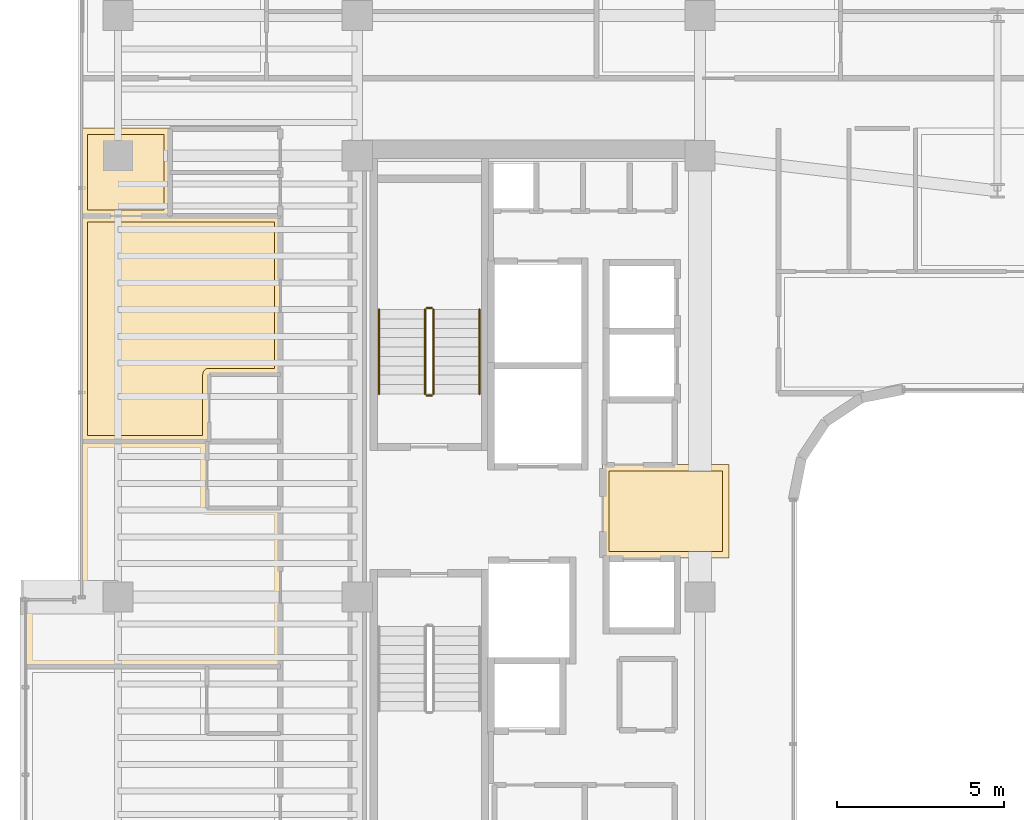
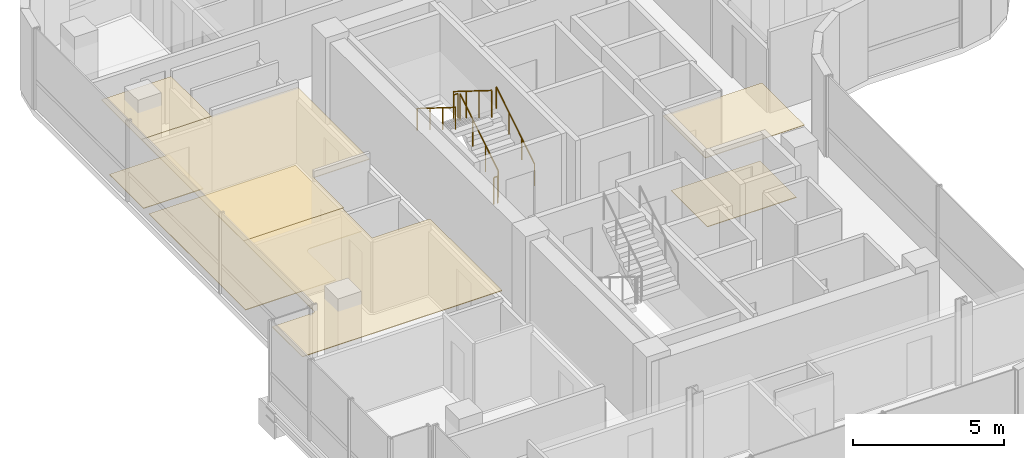
# One storey, part 23 of 24: 7 coverings, 6 railings.
"""IFC4 building model written with IfcOpenShell, lengths in metres."""

import ifcopenshell
import ifcopenshell.guid

model = None  # the IFC model being written
_history = None  # IfcOwnerHistory: only IFC2X3 demands one
_inside = {}  # id of a spatial element -> (the spatial element, [elements in it])
_under = {}  # id of a project, library or spatial element -> (it, [spatial elements below it])
_declared = {}  # id of a project -> (the project, [libraries it declares])
_typed = {}  # id of a type object -> (the type object, [elements of that type])
_made_of = {}  # id of a material, layer set ... -> (it, [elements and type objects made of it])


def new_model(schema):
    """Start an empty IFC model of exactly this schema.

    Asked for "IFC4X3", IfcOpenShell would pick the latest addendum, in which some entities
    have other attributes; the version numbers below select the first issue.
    IFC2X3 requires an IfcOwnerHistory on every rooted entity: one is made here for all.
    """
    global model, _history
    if schema == "IFC4X3":
        model = ifcopenshell.file(schema_version=(4, 3, 0, 0))
    else:
        model = ifcopenshell.file(schema=schema)
    _inside.clear()
    _under.clear()
    _declared.clear()
    _typed.clear()
    _made_of.clear()
    _history = None
    if model.schema == "IFC2X3":
        org = make("IfcOrganization", Name="unknown")
        user = make(
            "IfcPersonAndOrganization",
            ThePerson=make("IfcPerson", FamilyName="unknown"),
            TheOrganization=org,
        )
        app = make(
            "IfcApplication",
            ApplicationDeveloper=org,
            Version="unknown",
            ApplicationFullName="unknown",
            ApplicationIdentifier="unknown",
        )
        _history = make(
            "IfcOwnerHistory",
            OwningUser=user,
            OwningApplication=app,
            ChangeAction="ADDED",
            CreationDate=0,
        )
    return model


def make(cls, **values):
    """One entity of the class cls with the attributes given. An attribute that is None is left unset."""
    return model.create_entity(
        cls, **{name: value for name, value in values.items() if value is not None}
    )


def rooted(cls, **values):
    """An entity with a GlobalId (a new one), such as an element, a storey or a relation."""
    return make(cls, GlobalId=ifcopenshell.guid.new(), OwnerHistory=_history, **values)


def si_unit(unit_type, name, prefix=None):
    """IfcSIUnit, for example si_unit("LENGTHUNIT", "METRE", prefix="MILLI")."""
    return make("IfcSIUnit", UnitType=unit_type, Prefix=prefix, Name=name)


def assignment(units):
    """IfcUnitAssignment: the units of a project."""
    return None if units is None else make("IfcUnitAssignment", Units=units)


def point(xyz):
    """IfcCartesianPoint."""
    return None if xyz is None else make("IfcCartesianPoint", Coordinates=xyz)


def direction(xyz):
    """IfcDirection."""
    return None if xyz is None else make("IfcDirection", DirectionRatios=xyz)


def frame(location, z_axis=None, x_axis=None):
    """IfcAxis2Placement3D, a coordinate frame: its origin and axes. An axis left out is left unset."""
    return make(
        "IfcAxis2Placement3D",
        Location=point(location),
        Axis=direction(z_axis),
        RefDirection=direction(x_axis),
    )


def frame_2d(location, x_axis=None):
    """IfcAxis2Placement2D, a coordinate frame in the plane: its origin and x axis."""
    return make(
        "IfcAxis2Placement2D", Location=point(location), RefDirection=direction(x_axis)
    )


def origin():
    """The frame at (0, 0, 0) with its axes left unset."""
    return frame((0.0, 0.0, 0.0))


def origin_2d():
    """The frame at (0, 0) in the plane with its x axis left unset."""
    return frame_2d((0.0, 0.0))


def place(relative_to, where):
    """IfcLocalPlacement: puts the frame where relative to a parent placement (None: the world)."""
    return make(
        "IfcLocalPlacement", PlacementRelTo=relative_to, RelativePlacement=where
    )


def context(
    kind, dimensions, precision=None, world=None, true_north=None, identifier=None
):
    """IfcGeometricRepresentationContext, for example the 3D "Model" context."""
    return make(
        "IfcGeometricRepresentationContext",
        ContextIdentifier=identifier,
        ContextType=kind,
        CoordinateSpaceDimension=dimensions,
        Precision=precision,
        WorldCoordinateSystem=world,
        TrueNorth=true_north,
    )


def subcontext(parent, identifier, kind, view, scale=None):
    """IfcGeometricRepresentationSubContext, for example "Body" below "Model"."""
    return make(
        "IfcGeometricRepresentationSubContext",
        ContextIdentifier=identifier,
        ContextType=kind,
        ParentContext=parent,
        TargetScale=scale,
        TargetView=view,
    )


def project(units=None, contexts=None):
    """IfcProject with its units and contexts."""
    return rooted(
        "IfcProject",
        Name="project",
        RepresentationContexts=contexts,
        UnitsInContext=assignment(units),
    )


def spatial(cls, under=None, at=None, **own):
    """A site, building, storey or space (cls), placed at a placement, below another one or the project."""
    s = rooted(cls, ObjectPlacement=at, **own)
    if under is not None:
        _under.setdefault(under.id(), (under, []))[1].append(s)
    return s


def polyline(points):
    """IfcPolyline through the points."""
    return make("IfcPolyline", Points=[point(p) for p in points])


def profile(cls, at=None, kind="AREA", **sizes):
    """A parametric profile (cls). Its sizes go by their IFC names, for example OverallWidth=200.0."""
    return make(cls, ProfileType=kind, Position=at, **sizes)


def circle(**sizes):
    """IfcCircleProfileDef."""
    return profile("IfcCircleProfileDef", **sizes)


def outline(outer, holes=None, kind="AREA"):
    """IfcArbitraryClosedProfileDef: a profile drawn as a closed curve; with holes, ...WithVoids."""
    if holes is None:
        return make("IfcArbitraryClosedProfileDef", ProfileType=kind, OuterCurve=outer)
    return make(
        "IfcArbitraryProfileDefWithVoids",
        ProfileType=kind,
        OuterCurve=outer,
        InnerCurves=holes,
    )


def extrude(swept, where, along, depth):
    """IfcExtrudedAreaSolid: the profile swept, set in the frame where, extruded along a direction by depth."""
    return make(
        "IfcExtrudedAreaSolid",
        SweptArea=swept,
        Position=where,
        ExtrudedDirection=direction(along),
        Depth=depth,
    )


def shape(context_of_items, identifier, shape_type, items):
    """IfcShapeRepresentation: the items that make up one representation, for example the "Body"."""
    return make(
        "IfcShapeRepresentation",
        ContextOfItems=context_of_items,
        RepresentationIdentifier=identifier,
        RepresentationType=shape_type,
        Items=items,
    )


def material(Name=None, Category=None):
    """IfcMaterial."""
    return make("IfcMaterial", Name=Name, Category=Category)


def layer(
    of_material, thickness, ventilated=None, Name=None, Category=None, Priority=None
):
    """IfcMaterialLayer: one layer of a wall or slab, of a material (None: an air gap)."""
    return make(
        "IfcMaterialLayer",
        Material=of_material,
        LayerThickness=thickness,
        IsVentilated=ventilated,
        Name=Name,
        Category=Category,
        Priority=Priority,
    )


def layer_set(layers, Name=None):
    """IfcMaterialLayerSet."""
    return make("IfcMaterialLayerSet", MaterialLayers=layers, LayerSetName=Name)


def made_of(thing, what):
    """Note that an element or type object is made of a material, layer set ...; save() writes the relation."""
    if what is not None:
        _made_of.setdefault(what.id(), (what, []))[1].append(thing)
    return thing


def type_object(cls, material=None, **own):
    """A type object (cls), such as IfcWallType, which elements share."""
    return made_of(rooted(cls, **own), material)


def element(
    cls,
    number,
    at=None,
    inside=None,
    cuts=None,
    type_object=None,
    material=None,
    context=None,
    identifier="Body",
    shape_type=None,
    held_by="IfcProductDefinitionShape",
    body=None,
    shapes=None,
    **own,
):
    """One element of the class cls, such as IfcWall. Its Tag is "e" and its number.

    at: its placement. inside: the storey or other place that contains it. cuts: it is an
    opening in that element (IfcRelVoidsElement). A single representation is given by context,
    identifier, shape_type and body (its items); several are given by shapes. held_by: the class
    of the entity that holds the representations. save() writes the other relations.
    """
    e = rooted(cls, Tag="e%d" % number, ObjectPlacement=at, **own)
    if body is not None:
        shapes = [shape(context, identifier, shape_type, body)]
    if shapes is not None:
        e.Representation = make(held_by, Representations=shapes)
    if inside is not None:
        _inside.setdefault(inside.id(), (inside, []))[1].append(e)
    if cuts is not None:
        rooted(
            "IfcRelVoidsElement", RelatingBuildingElement=cuts, RelatedOpeningElement=e
        )
    if type_object is not None:
        _typed.setdefault(type_object.id(), (type_object, []))[1].append(e)
    return made_of(e, material)


def aggregate(whole, parts):
    """IfcRelAggregates: a whole, such as a stair, and the parts it consists of."""
    return rooted("IfcRelAggregates", RelatingObject=whole, RelatedObjects=parts)


def save(model, path):
    """Write the relations noted so far, then the file.

    IfcRelAggregates (storeys below a building ...), IfcRelContainedInSpatialStructure (elements
    in a storey), IfcRelDefinesByType, IfcRelAssociatesMaterial and IfcRelDeclares: one each for
    every whole, place, type object, material and project.
    """
    for whole, parts in _under.values():
        aggregate(whole, parts)
    for where, things in _inside.values():
        rooted(
            "IfcRelContainedInSpatialStructure",
            RelatedElements=things,
            RelatingStructure=where,
        )
    for kind, things in _typed.values():
        rooted("IfcRelDefinesByType", RelatedObjects=things, RelatingType=kind)
    for what, things in _made_of.values():
        rooted("IfcRelAssociatesMaterial", RelatedObjects=things, RelatingMaterial=what)
    for by, libraries in _declared.values():
        rooted("IfcRelDeclares", RelatingContext=by, RelatedDefinitions=libraries)
    model.write(path)


model = new_model("IFC4")

# Units and contexts
model_context = context("Model", 3, precision=1e-05, world=origin(), true_north=direction((0.0, 1.0)))
body_context = subcontext(model_context, "Body", "Model", "MODEL_VIEW")
ifc_project = project(units=[si_unit("LENGTHUNIT", "METRE"), si_unit("AREAUNIT", "SQUARE_METRE"), si_unit("VOLUMEUNIT", "CUBIC_METRE"), si_unit("PLANEANGLEUNIT", "RADIAN"), si_unit("MASSUNIT", "GRAM", prefix="KILO")], contexts=[model_context])

# Site, building, storey
site_placement = place(None, origin())
site = spatial("IfcSite", under=ifc_project, at=site_placement, CompositionType="ELEMENT")
building_placement = place(site_placement, origin())
building = spatial("IfcBuilding", under=site, at=building_placement, Name="Valdorenza Pilgrim Sanctuary Tower", CompositionType="ELEMENT")
storey_placement = place(building_placement, frame((0.0, 0.0, 230.0)))
storey = spatial("IfcBuildingStorey", under=building, at=storey_placement, Name="L59", CompositionType="ELEMENT", Elevation=230.0)

# Coverings
ifc_material_1 = material(Name="Micro-perforated acoustic mineral ceiling tile", Category="gypsum")
ifc_layer_1 = layer(ifc_material_1, 0.02490234375, Name="Micro-perforated acoustic mineral ceiling tile")
ifc_layer_set_1 = layer_set([ifc_layer_1], Name="Micro-perforated acoustic mineral ceiling tile")
covering_type_1 = type_object("IfcCoveringType", Name="COV-CLG-ACU", PredefinedType="CEILING", material=ifc_layer_set_1)
covering_1_placement = place(storey_placement, frame((0.0, 0.0, 2.9599609375)))
element("IfcCovering", 1, at=covering_1_placement, inside=storey, type_object=covering_type_1, Name="L59 Core A Passenger Lift Lobby Acoustic Ceiling", PredefinedType="CEILING", context=body_context, shape_type="SweptSolid", body=[
    extrude(outline(polyline([(-15.31494140625, 1.35009765625), (-15.31494140625, 1.3515625), (-15.314697265625, 1.352783203125), (-15.314453125, 1.3544921875), (-15.31396484375, 1.355712890625), (-15.313232421875, 1.357177734375), (-15.3125, 1.3583984375), (-15.3115234375, 1.359619140625), (-15.310546875, 1.360595703125), (-15.3095703125, 1.361572265625), (-15.308349609375, 1.362548828125), (-15.30712890625, 1.36328125), (-15.3056640625, 1.364013671875), (-15.304443359375, 1.364501953125), (-15.302978515625, 1.36474609375), (-15.301513671875, 1.364990234375), (-15.300048828125, 1.364990234375), (-11.550048828125, 1.364990234375), (-11.548583984375, 1.364990234375), (-11.547119140625, 1.36474609375), (-11.545654296875, 1.364501953125), (-11.544189453125, 1.364013671875), (-11.54296875, 1.36328125), (-11.541748046875, 1.362548828125), (-11.54052734375, 1.361572265625), (-11.539306640625, 1.360595703125), (-11.538330078125, 1.359619140625), (-11.53759765625, 1.3583984375), (-11.536865234375, 1.357177734375), (-11.5361328125, 1.355712890625), (-11.53564453125, 1.3544921875), (-11.535400390625, 1.352783203125), (-11.53515625, 1.3515625), (-11.534912109375, 1.35009765625), (-11.534912109375, -1.419921875), (-11.53515625, -1.42138671875), (-11.535400390625, -1.4228515625), (-11.53564453125, -1.42431640625), (-11.5361328125, -1.42578125), (-11.536865234375, -1.427001953125), (-11.53759765625, -1.42822265625), (-11.538330078125, -1.429443359375), (-11.539306640625, -1.4306640625), (-11.54052734375, -1.431640625), (-11.541748046875, -1.4326171875), (-11.54296875, -1.43310546875), (-11.544189453125, -1.433837890625), (-11.545654296875, -1.434326171875), (-11.547119140625, -1.434814453125), (-11.548583984375, -1.434814453125), (-11.550048828125, -1.43505859375), (-15.298095703125, -1.43505859375), (-15.299560546875, -1.434814453125), (-15.30078125, -1.434814453125), (-15.302490234375, -1.434326171875), (-15.3037109375, -1.433837890625), (-15.30517578125, -1.43310546875), (-15.306396484375, -1.4326171875), (-15.3076171875, -1.431640625), (-15.30859375, -1.4306640625), (-15.3095703125, -1.429443359375), (-15.310546875, -1.42822265625), (-15.311279296875, -1.427001953125), (-15.31201171875, -1.42578125), (-15.3125, -1.42431640625), (-15.312744140625, -1.4228515625), (-15.31298828125, -1.42138671875), (-15.31298828125, -1.419921875), (-15.31298828125, 1.244384765625), (-15.31298828125, 1.24462890625), (-15.313720703125, 1.24609375), (-15.314208984375, 1.24755859375), (-15.314697265625, 1.2490234375), (-15.31494140625, 1.25048828125), (-15.31494140625, 1.251953125), (-15.31494140625, 1.35009765625)])), origin(), (0.0, 0.0, 1.0), 0.025146484375),
])
covering_2_placement = place(storey_placement, frame((0.0, 0.0, 2.9599609375)))
element("IfcCovering", 2, at=covering_2_placement, inside=storey, type_object=covering_type_1, Name="L59 Pilgrim Scholar Office L59-WN Acoustic Ceiling", PredefinedType="CEILING", context=body_context, shape_type="SweptSolid", body=[
    extrude(outline(polyline([(-28.237060546875, 11.39453125), (-28.237060546875, 10.103759765625), (-28.23681640625, 10.10302734375), (-28.23681640625, 10.1015625), (-28.23681640625, 10.10009765625), (-28.23681640625, 10.098388671875), (-28.237060546875, 10.09814453125), (-28.237060546875, 8.800048828125), (-28.237060546875, 8.798583984375), (-28.2373046875, 8.797119140625), (-28.237548828125, 8.795654296875), (-28.238037109375, 8.794189453125), (-28.23876953125, 8.79296875), (-28.239501953125, 8.791748046875), (-28.240478515625, 8.79052734375), (-28.241455078125, 8.789306640625), (-28.242431640625, 8.788330078125), (-28.24365234375, 8.78759765625), (-28.244873046875, 8.786865234375), (-28.246337890625, 8.7861328125), (-28.24755859375, 8.78564453125), (-28.2490234375, 8.785400390625), (-28.25048828125, 8.78515625), (-28.251953125, 8.784912109375), (-30.889892578125, 8.784912109375), (-30.8916015625, 8.78515625), (-30.892822265625, 8.785400390625), (-30.894287109375, 8.78564453125), (-30.895751953125, 8.7861328125), (-30.897216796875, 8.786865234375), (-30.898193359375, 8.78759765625), (-30.8994140625, 8.788330078125), (-30.900634765625, 8.789306640625), (-30.901611328125, 8.79052734375), (-30.902587890625, 8.791748046875), (-30.9033203125, 8.79296875), (-30.90380859375, 8.794189453125), (-30.904296875, 8.795654296875), (-30.90478515625, 8.797119140625), (-30.90478515625, 8.798583984375), (-30.905029296875, 8.800048828125), (-30.905029296875, 11.419921875), (-30.90478515625, 11.42138671875), (-30.90478515625, 11.4228515625), (-30.904296875, 11.42431640625), (-30.90380859375, 11.42578125), (-30.9033203125, 11.427001953125), (-30.902587890625, 11.42822265625), (-30.901611328125, 11.429443359375), (-30.900634765625, 11.4306640625), (-30.8994140625, 11.431640625), (-30.898193359375, 11.4326171875), (-30.897216796875, 11.43310546875), (-30.895751953125, 11.433837890625), (-30.894287109375, 11.434326171875), (-30.892822265625, 11.434814453125), (-30.8916015625, 11.434814453125), (-30.889892578125, 11.43505859375), (-28.25, 11.43505859375), (-28.24853515625, 11.434814453125), (-28.2470703125, 11.434814453125), (-28.24560546875, 11.434326171875), (-28.244384765625, 11.433837890625), (-28.242919921875, 11.43310546875), (-28.24169921875, 11.4326171875), (-28.240478515625, 11.431640625), (-28.239501953125, 11.4306640625), (-28.23828125, 11.429443359375), (-28.237548828125, 11.42822265625), (-28.23681640625, 11.427001953125), (-28.236083984375, 11.42578125), (-28.235595703125, 11.42431640625), (-28.2353515625, 11.4228515625), (-28.235107421875, 11.42138671875), (-28.235107421875, 11.419921875), (-28.235107421875, 11.402099609375), (-28.235107421875, 11.400390625), (-28.2353515625, 11.39892578125), (-28.235595703125, 11.3974609375), (-28.236083984375, 11.39599609375), (-28.23681640625, 11.394775390625), (-28.237060546875, 11.39453125)])), origin(), (0.0, 0.0, 1.0), 0.025146484375),
])
covering_3_placement = place(storey_placement, frame((0.0, 0.0, 2.9599609375)))
element("IfcCovering", 3, at=covering_3_placement, inside=storey, type_object=covering_type_1, Name="L59 Sanctuary Guest Room L59-W2 Acoustic Ceiling", PredefinedType="CEILING", context=body_context, shape_type="SweptSolid", body=[
    extrude(outline(polyline([(-32.554931640625, -2.7099609375), (-32.554931640625, -2.70849609375), (-32.5546875, -2.70703125), (-32.554443359375, -2.70556640625), (-32.553955078125, -2.704345703125), (-32.55322265625, -2.702880859375), (-32.552490234375, -2.70166015625), (-32.551513671875, -2.700439453125), (-32.550537109375, -2.699462890625), (-32.549560546875, -2.698486328125), (-32.54833984375, -2.697509765625), (-32.547119140625, -2.69677734375), (-32.545654296875, -2.696044921875), (-32.54443359375, -2.695556640625), (-32.54296875, -2.6953125), (-32.54150390625, -2.695068359375), (-32.5400390625, -2.695068359375), (-31.00048828125, -2.695068359375), (-30.99072265625, -2.694580078125), (-30.9814453125, -2.693115234375), (-30.972412109375, -2.69091796875), (-30.963623046875, -2.687744140625), (-30.955078125, -2.683837890625), (-30.947265625, -2.678955078125), (-30.939697265625, -2.67333984375), (-30.932861328125, -2.667236328125), (-30.926513671875, -2.660400390625), (-30.9208984375, -2.65283203125), (-30.916259765625, -2.644775390625), (-30.912109375, -2.63623046875), (-30.9091796875, -2.627685546875), (-30.90673828125, -2.618408203125), (-30.905517578125, -2.609375), (-30.905029296875, -2.599609375), (-30.905029296875, 2.06005859375), (-30.90478515625, 2.0615234375), (-30.90478515625, 2.06298828125), (-30.904296875, 2.064453125), (-30.90380859375, 2.065673828125), (-30.9033203125, 2.067138671875), (-30.902587890625, 2.068359375), (-30.901611328125, 2.069580078125), (-30.900634765625, 2.070556640625), (-30.8994140625, 2.071533203125), (-30.898193359375, 2.072509765625), (-30.897216796875, 2.0732421875), (-30.895751953125, 2.073974609375), (-30.894287109375, 2.074462890625), (-30.892822265625, 2.07470703125), (-30.8916015625, 2.074951171875), (-30.889892578125, 2.074951171875), (-27.152099609375, 2.074951171875), (-27.150390625, 2.074951171875), (-27.149169921875, 2.07470703125), (-27.147705078125, 2.074462890625), (-27.146240234375, 2.073974609375), (-27.14501953125, 2.0732421875), (-27.143798828125, 2.072509765625), (-27.142578125, 2.071533203125), (-27.141357421875, 2.070556640625), (-27.140380859375, 2.069580078125), (-27.139404296875, 2.068359375), (-27.138916015625, 2.067138671875), (-27.13818359375, 2.065673828125), (-27.1376953125, 2.064453125), (-27.13720703125, 2.06298828125), (-27.13720703125, 2.0615234375), (-27.136962890625, 2.06005859375), (-27.136962890625, 0.072998046875), (-24.949951171875, 0.072998046875), (-24.948486328125, 0.072998046875), (-24.947021484375, 0.07275390625), (-24.945556640625, 0.072509765625), (-24.9443359375, 0.072021484375), (-24.94287109375, 0.0712890625), (-24.941650390625, 0.070556640625), (-24.9404296875, 0.069580078125), (-24.939453125, 0.068603515625), (-24.9384765625, 0.0673828125), (-24.9375, 0.06640625), (-24.936767578125, 0.065185546875), (-24.93603515625, 0.063720703125), (-24.935546875, 0.0625), (-24.935302734375, 0.060791015625), (-24.93505859375, 0.0595703125), (-24.93505859375, 0.05810546875), (-24.93505859375, -4.677978515625), (-24.93505859375, -4.679443359375), (-24.935302734375, -4.680908203125), (-24.935546875, -4.682373046875), (-24.93603515625, -4.68359375), (-24.936767578125, -4.68505859375), (-24.9375, -4.686279296875), (-24.9384765625, -4.6875), (-24.939453125, -4.688720703125), (-24.9404296875, -4.689697265625), (-24.941650390625, -4.6904296875), (-24.94287109375, -4.691162109375), (-24.9443359375, -4.69189453125), (-24.945556640625, -4.6923828125), (-24.947021484375, -4.692626953125), (-24.948486328125, -4.69287109375), (-24.949951171875, -4.693115234375), (-27.148193359375, -4.693115234375), (-27.14892578125, -4.693115234375), (-27.150390625, -4.693359375), (-27.152099609375, -4.693115234375), (-27.153564453125, -4.693115234375), (-27.15380859375, -4.693115234375), (-32.5400390625, -4.693115234375), (-32.54150390625, -4.69287109375), (-32.54296875, -4.692626953125), (-32.54443359375, -4.6923828125), (-32.545654296875, -4.69189453125), (-32.547119140625, -4.691162109375), (-32.54833984375, -4.6904296875), (-32.549560546875, -4.689697265625), (-32.550537109375, -4.688720703125), (-32.551513671875, -4.6875), (-32.552490234375, -4.686279296875), (-32.55322265625, -4.68505859375), (-32.553955078125, -4.68359375), (-32.554443359375, -4.682373046875), (-32.5546875, -4.680908203125), (-32.554931640625, -4.679443359375), (-32.554931640625, -4.677978515625), (-32.554931640625, -2.7099609375)])), origin(), (0.0, 0.0, 1.0), 0.025146484375),
])
covering_4_placement = place(storey_placement, frame((0.0, 0.0, 2.9599609375)))
element("IfcCovering", 4, at=covering_4_placement, inside=storey, type_object=covering_type_1, Name="L59 Sanctuary Guest Room L59-W3 Acoustic Ceiling", PredefinedType="CEILING", context=body_context, shape_type="SweptSolid", body=[
    extrude(outline(polyline([(-28.253662109375, 8.81298828125), (-28.253173828125, 8.81298828125), (-28.25146484375, 8.813232421875), (-28.25, 8.813232421875), (-28.24853515625, 8.81298828125), (-28.248291015625, 8.81298828125), (-24.949951171875, 8.81298828125), (-24.948486328125, 8.81298828125), (-24.947021484375, 8.812744140625), (-24.945556640625, 8.8125), (-24.9443359375, 8.81201171875), (-24.94287109375, 8.811279296875), (-24.941650390625, 8.810546875), (-24.9404296875, 8.8095703125), (-24.939453125, 8.80859375), (-24.9384765625, 8.8076171875), (-24.9375, 8.806396484375), (-24.936767578125, 8.80517578125), (-24.93603515625, 8.8037109375), (-24.935546875, 8.802490234375), (-24.935302734375, 8.80078125), (-24.93505859375, 8.799560546875), (-24.93505859375, 8.798095703125), (-24.93505859375, 4.06201171875), (-24.93505859375, 4.060546875), (-24.935302734375, 4.05908203125), (-24.935546875, 4.0576171875), (-24.93603515625, 4.056396484375), (-24.936767578125, 4.054931640625), (-24.9375, 4.0537109375), (-24.9384765625, 4.052490234375), (-24.939453125, 4.051513671875), (-24.9404296875, 4.05029296875), (-24.941650390625, 4.049560546875), (-24.94287109375, 4.048828125), (-24.9443359375, 4.048095703125), (-24.945556640625, 4.047607421875), (-24.947021484375, 4.04736328125), (-24.948486328125, 4.047119140625), (-24.949951171875, 4.047119140625), (-27.074951171875, 4.047119140625), (-27.074951171875, 2.06201171875), (-27.0751953125, 2.060546875), (-27.0751953125, 2.05908203125), (-27.07568359375, 2.0576171875), (-27.076171875, 2.056396484375), (-27.076904296875, 2.054931640625), (-27.077392578125, 2.0537109375), (-27.078369140625, 2.052490234375), (-27.079345703125, 2.051513671875), (-27.08056640625, 2.05029296875), (-27.081787109375, 2.049560546875), (-27.0830078125, 2.048828125), (-27.084228515625, 2.048095703125), (-27.085693359375, 2.047607421875), (-27.087158203125, 2.04736328125), (-27.08837890625, 2.047119140625), (-27.090087890625, 2.047119140625), (-27.148193359375, 2.047119140625), (-27.14892578125, 2.046875), (-27.150390625, 2.046630859375), (-27.152099609375, 2.046875), (-27.153564453125, 2.046875), (-27.15380859375, 2.047119140625), (-30.889892578125, 2.047119140625), (-30.8916015625, 2.047119140625), (-30.892822265625, 2.04736328125), (-30.894287109375, 2.047607421875), (-30.895751953125, 2.048095703125), (-30.897216796875, 2.048828125), (-30.898193359375, 2.049560546875), (-30.8994140625, 2.05029296875), (-30.900634765625, 2.051513671875), (-30.901611328125, 2.052490234375), (-30.902587890625, 2.0537109375), (-30.9033203125, 2.054931640625), (-30.90380859375, 2.056396484375), (-30.904296875, 2.0576171875), (-30.90478515625, 2.05908203125), (-30.90478515625, 2.060546875), (-30.905029296875, 2.06201171875), (-30.905029296875, 8.798095703125), (-30.90478515625, 8.799560546875), (-30.90478515625, 8.80078125), (-30.904296875, 8.802490234375), (-30.90380859375, 8.8037109375), (-30.9033203125, 8.80517578125), (-30.902587890625, 8.806396484375), (-30.901611328125, 8.8076171875), (-30.900634765625, 8.80859375), (-30.8994140625, 8.8095703125), (-30.898193359375, 8.810546875), (-30.897216796875, 8.811279296875), (-30.895751953125, 8.81201171875), (-30.894287109375, 8.8125), (-30.892822265625, 8.812744140625), (-30.8916015625, 8.81298828125), (-30.889892578125, 8.81298828125), (-28.253662109375, 8.81298828125)])), origin(), (0.0, 0.0, 1.0), 0.025146484375),
])
ifc_material_2 = material(Name="Engineered European oak timber flooring", Category="wood")
ifc_layer_2 = layer(ifc_material_2, 0.02197265625, Name="Engineered European oak timber flooring")
ifc_layer_set_2 = layer_set([ifc_layer_2], Name="Engineered European oak timber flooring")
covering_type_2 = type_object("IfcCoveringType", Name="COV-FLR-OAK", PredefinedType="FLOORING", material=ifc_layer_set_2)
covering_5_placement = place(storey_placement, origin())
element("IfcCovering", 5, at=covering_5_placement, inside=storey, type_object=covering_type_2, Name="L59 Sanctuary Guest Room L59-W3 Flooring", PredefinedType="FLOORING", context=body_context, shape_type="SweptSolid", body=[
    extrude(outline(polyline([(-28.250244140625, 8.617919921875), (-28.25, 8.617919921875), (-25.1298828125, 8.617919921875), (-25.1298828125, 4.241943359375), (-27.087890625, 4.241943359375), (-27.0966796875, 4.24169921875), (-27.096923828125, 4.24169921875), (-27.114501953125, 4.239990234375), (-27.11474609375, 4.239990234375), (-27.132080078125, 4.236572265625), (-27.13232421875, 4.236572265625), (-27.149169921875, 4.2314453125), (-27.1494140625, 4.231201171875), (-27.165771484375, 4.224609375), (-27.166015625, 4.224609375), (-27.181396484375, 4.21630859375), (-27.181640625, 4.216064453125), (-27.1962890625, 4.206298828125), (-27.196533203125, 4.2060546875), (-27.210205078125, 4.19482421875), (-27.210205078125, 4.19482421875), (-27.222900390625, 4.182373046875), (-27.222900390625, 4.18212890625), (-27.234130859375, 4.16845703125), (-27.234130859375, 4.168212890625), (-27.244140625, 4.153564453125), (-27.244140625, 4.153564453125), (-27.25244140625, 4.137939453125), (-27.252685546875, 4.1376953125), (-27.25927734375, 4.121337890625), (-27.259521484375, 4.12109375), (-27.264404296875, 4.104248046875), (-27.2646484375, 4.10400390625), (-27.26806640625, 4.0869140625), (-27.26806640625, 4.086669921875), (-27.269775390625, 4.069091796875), (-27.269775390625, 4.06884765625), (-27.27001953125, 4.06005859375), (-27.27001953125, 2.241943359375), (-30.7099609375, 2.241943359375), (-30.7099609375, 8.617919921875), (-28.251953125, 8.617919921875), (-28.2509765625, 8.617919921875), (-28.250244140625, 8.617919921875)])), origin(), (0.0, 0.0, 1.0), 0.02490234375),
])
ifc_material_3 = material(Name="Honed travertine stone flooring", Category="masonry")
ifc_layer_3 = layer(ifc_material_3, 0.030029296875, Name="Honed travertine stone flooring")
ifc_layer_set_3 = layer_set([ifc_layer_3], Name="Honed travertine stone flooring")
covering_type_3 = type_object("IfcCoveringType", Name="COV-FLR-TRV", PredefinedType="FLOORING", material=ifc_layer_set_3)
covering_6_placement = place(storey_placement, origin())
element("IfcCovering", 6, at=covering_6_placement, inside=storey, type_object=covering_type_3, Name="L59 Core A Passenger Lift Lobby Flooring", PredefinedType="FLOORING", context=body_context, shape_type="SweptSolid", body=[
    extrude(outline(polyline([(-15.117919921875, 1.169921875), (-11.72998046875, 1.169921875), (-11.72998046875, -1.239990234375), (-15.117919921875, -1.239990234375), (-15.117919921875, 1.169921875)])), origin(), (0.0, 0.0, 1.0), 0.02490234375),
])
covering_7_placement = place(storey_placement, origin())
element("IfcCovering", 7, at=covering_7_placement, inside=storey, type_object=covering_type_3, Name="L59 Pilgrim Scholar Office L59-WN Flooring", PredefinedType="FLOORING", context=body_context, shape_type="SweptSolid", body=[
    extrude(outline(polyline([(-28.431884765625, 11.239990234375), (-28.431884765625, 10.10205078125), (-28.431884765625, 10.10107421875), (-28.431884765625, 10.100341796875), (-28.431884765625, 10.10009765625), (-28.431884765625, 8.97998046875), (-30.7099609375, 8.97998046875), (-30.7099609375, 11.239990234375), (-28.431884765625, 11.239990234375)])), origin(), (0.0, 0.0, 1.0), 0.02490234375),
])

# Railings
ifc_material_4 = material(Name="Stainless steel Grade 316", Category="steel")
railing_type_1 = type_object("IfcRailingType", Name="RLG-GRD-1120", PredefinedType="GUARDRAIL", material=ifc_material_4)
railing_1_placement = place(storey_placement, frame((-20.3701171875, 3.47998046875, 0.175048828125)))
element("IfcRailing", 8, at=railing_1_placement, inside=storey, type_object=railing_type_1, Name="L59 ST-A1 stair guard 1", PredefinedType="GUARDRAIL", context=body_context, shape_type="SweptSolid", body=[
    extrude(circle(Radius=0.02392578125, at=origin_2d()), frame((0.0, 0.0, 1.076171875), z_axis=(0.0, 0.848007534815, 0.529984170421), x_axis=(-1.0, 0.0, 0.0)), (0.0, 0.0, 1.0), 2.9716796875),
    extrude(circle(Radius=0.02099609375, at=origin_2d()), origin(), (0.0, 0.0, 1.0), 1.052001953125),
    extrude(circle(Radius=0.02099609375, at=origin_2d()), frame((0.0, 0.840087890625, 0.52490234375)), (0.0, 0.0, 1.0), 1.052001953125),
    extrude(circle(Radius=0.02099609375, at=origin_2d()), frame((0.0, 1.679931640625, 1.050048828125)), (0.0, 0.0, 1.0), 1.052001953125),
    extrude(circle(Radius=0.02099609375, at=origin_2d()), frame((0.0, 2.52001953125, 1.574951171875)), (0.0, 0.0, 1.0), 1.052001953125),
])
railing_2_placement = place(storey_placement, frame((-20.419921875, 6.050048828125, 1.75)))
element("IfcRailing", 9, at=railing_2_placement, inside=storey, type_object=railing_type_1, Name="L59 ST-A1 stair guard 2", PredefinedType="GUARDRAIL", context=body_context, shape_type="SweptSolid", body=[
    extrude(circle(Radius=0.02392578125, at=origin_2d()), frame((0.0, 0.0, 1.076171875), z_axis=(-1.0, 0.0, 0.0), x_axis=(0.0, -1.0, 0.0)), (0.0, 0.0, 1.0), 0.150146484375),
    extrude(circle(Radius=0.02099609375, at=origin_2d()), origin(), (0.0, 0.0, 1.0), 1.052001953125),
    extrude(circle(Radius=0.02099609375, at=origin_2d()), frame((-0.150146484375, 0.0, 0.0)), (0.0, 0.0, 1.0), 1.052001953125),
])
railing_3_placement = place(storey_placement, frame((-20.6201171875, 6.0, 1.925048828125)))
element("IfcRailing", 10, at=railing_3_placement, inside=storey, type_object=railing_type_1, Name="L59 ST-A1 stair guard 3", PredefinedType="GUARDRAIL", context=body_context, shape_type="SweptSolid", body=[
    extrude(circle(Radius=0.02392578125, at=origin_2d()), frame((0.0, 0.0, 1.076171875), z_axis=(0.0, -0.848007534815, 0.529984170421), x_axis=(1.0, 0.0, 0.0)), (0.0, 0.0, 1.0), 2.9716796875),
    extrude(circle(Radius=0.02099609375, at=origin_2d()), origin(), (0.0, 0.0, 1.0), 1.052001953125),
    extrude(circle(Radius=0.02099609375, at=origin_2d()), frame((0.0, -0.840087890625, 0.52490234375)), (0.0, 0.0, 1.0), 1.052001953125),
    extrude(circle(Radius=0.02099609375, at=origin_2d()), frame((0.0, -1.679931640625, 1.050048828125)), (0.0, 0.0, 1.0), 1.052001953125),
    extrude(circle(Radius=0.02099609375, at=origin_2d()), frame((0.0, -2.52001953125, 1.574951171875)), (0.0, 0.0, 1.0), 1.052001953125),
])
railing_4_placement = place(storey_placement, frame((-20.419921875, 3.429931640625, 0.0)))
element("IfcRailing", 11, at=railing_4_placement, inside=storey, type_object=railing_type_1, Name="L59 ST-A1 stair guard 4", PredefinedType="GUARDRAIL", context=body_context, shape_type="SweptSolid", body=[
    extrude(circle(Radius=0.02392578125, at=origin_2d()), frame((0.0, 0.0, 1.076171875), z_axis=(-1.0, 0.0, 0.0), x_axis=(0.0, -1.0, 0.0)), (0.0, 0.0, 1.0), 0.150146484375),
    extrude(circle(Radius=0.02099609375, at=origin_2d()), origin(), (0.0, 0.0, 1.0), 1.052001953125),
    extrude(circle(Radius=0.02099609375, at=origin_2d()), frame((-0.150146484375, 0.0, 0.0)), (0.0, 0.0, 1.0), 1.052001953125),
])
ifc_material_5 = material(Name="Brushed stainless steel Grade 316", Category="steel")
railing_type_2 = type_object("IfcRailingType", Name="RLG-HND-920", PredefinedType="HANDRAIL", material=ifc_material_5)
railing_5_placement = place(storey_placement, frame((-18.989990234375, 3.47998046875, 0.175048828125)))
element("IfcRailing", 12, at=railing_5_placement, inside=storey, type_object=railing_type_2, Name="L59 ST-A1 stair handrail 1", PredefinedType="HANDRAIL", context=body_context, shape_type="SweptSolid", body=[
    extrude(circle(Radius=0.02392578125, at=origin_2d()), frame((0.0, 0.0, 0.8759765625), z_axis=(0.0, 0.848007534815, 0.529984170421), x_axis=(-1.0, 0.0, 0.0)), (0.0, 0.0, 1.0), 2.9716796875),
    extrude(circle(Radius=0.02099609375, at=origin_2d()), origin(), (0.0, 0.0, 1.0), 0.851806640625),
    extrude(circle(Radius=0.02099609375, at=origin_2d()), frame((0.0, 0.840087890625, 0.52490234375)), (0.0, 0.0, 1.0), 0.851806640625),
    extrude(circle(Radius=0.02099609375, at=origin_2d()), frame((0.0, 1.679931640625, 1.050048828125)), (0.0, 0.0, 1.0), 0.851806640625),
    extrude(circle(Radius=0.02099609375, at=origin_2d()), frame((0.0, 2.52001953125, 1.574951171875)), (0.0, 0.0, 1.0), 0.851806640625),
])
railing_6_placement = place(storey_placement, frame((-22.0, 6.0, 1.925048828125)))
element("IfcRailing", 13, at=railing_6_placement, inside=storey, type_object=railing_type_2, Name="L59 ST-A1 stair handrail 2", PredefinedType="HANDRAIL", context=body_context, shape_type="SweptSolid", body=[
    extrude(circle(Radius=0.02392578125, at=origin_2d()), frame((0.0, 0.0, 0.8759765625), z_axis=(0.0, -0.848007534815, 0.529984170421), x_axis=(1.0, 0.0, 0.0)), (0.0, 0.0, 1.0), 2.9716796875),
    extrude(circle(Radius=0.02099609375, at=origin_2d()), origin(), (0.0, 0.0, 1.0), 0.851806640625),
    extrude(circle(Radius=0.02099609375, at=origin_2d()), frame((0.0, -0.840087890625, 0.52490234375)), (0.0, 0.0, 1.0), 0.851806640625),
    extrude(circle(Radius=0.02099609375, at=origin_2d()), frame((0.0, -1.679931640625, 1.050048828125)), (0.0, 0.0, 1.0), 0.851806640625),
    extrude(circle(Radius=0.02099609375, at=origin_2d()), frame((0.0, -2.52001953125, 1.574951171875)), (0.0, 0.0, 1.0), 0.851806640625),
])

save(model, "model.ifc")
